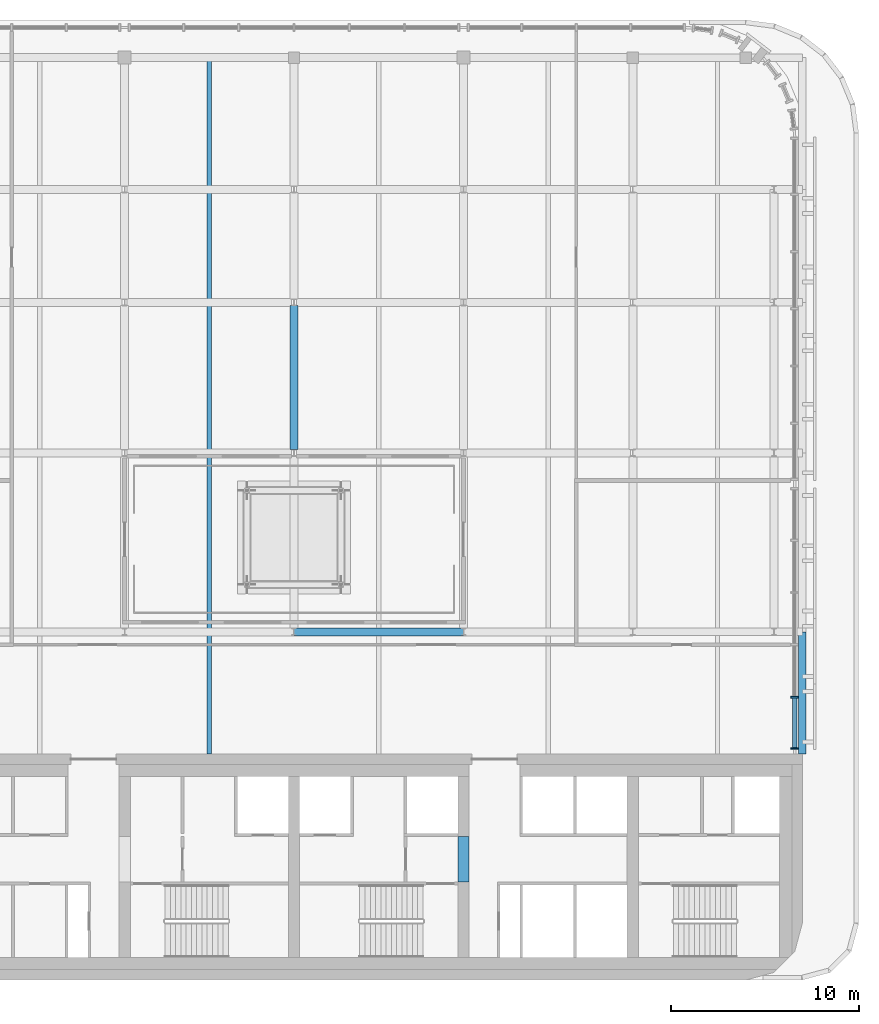
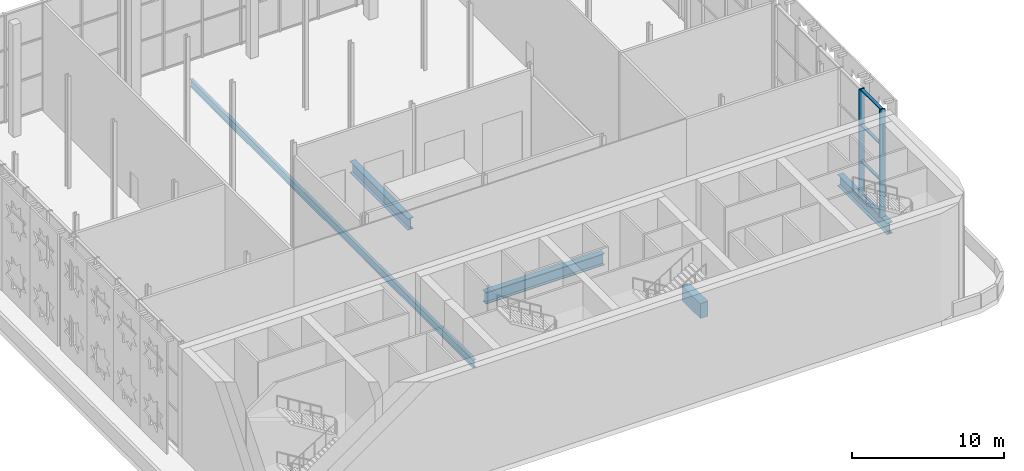
# One storey, part 9 of 26: 6 members, 5 beams, 1 element without a shape of its own.
"""IFC4 building model written with IfcOpenShell, lengths in metres."""

from ifc_helpers import new_model, si_unit, direction, frame, origin, origin_2d, place, context, subcontext, project, spatial, rectangle, i_section, extrude, material, material_profile, profile_set, type_object, element, aggregate, save


model = new_model("IFC4")

# Units and contexts
model_context = context("Model", 3, precision=1e-05, world=origin(), true_north=direction((0.0, 1.0)))
body_context = subcontext(model_context, "Body", "Model", "MODEL_VIEW")
ifc_project = project(units=[si_unit("LENGTHUNIT", "METRE"), si_unit("AREAUNIT", "SQUARE_METRE"), si_unit("VOLUMEUNIT", "CUBIC_METRE"), si_unit("PLANEANGLEUNIT", "RADIAN"), si_unit("MASSUNIT", "GRAM", prefix="KILO")], contexts=[model_context])

# Site, building, storey
site_placement = place(None, origin())
site = spatial("IfcSite", under=ifc_project, at=site_placement, CompositionType="ELEMENT")
building_placement = place(site_placement, origin())
building = spatial("IfcBuilding", under=site, at=building_placement, Name="Zellij Exchange Tower", CompositionType="ELEMENT")
storey_placement = place(building_placement, frame((0.0, 0.0, 296.5)))
storey = spatial("IfcBuildingStorey", under=building, at=storey_placement, Name="L70", CompositionType="ELEMENT", Elevation=296.5)

# Beam
ifc_material_1 = material(Name="Concrete C50/60", Category="concrete")
ifc_material_profile_1 = material_profile(ifc_material_1, rectangle(XDim=0.60009765625, YDim=1.199951171875, at=origin_2d()), Name="CORE-CB 600x1200 C50/60")
ifc_profile_set_1 = profile_set([ifc_material_profile_1], Name="Concrete C50/60")
beam_type_1 = type_object("IfcBeamType", Name="CORE-CB 600x1200 C50/60", PredefinedType="BEAM", material=ifc_profile_set_1)
beam_1_placement = place(storey_placement, frame((9.0, -8.800048828125, 3.0), z_axis=(0.0, 1.0, 0.0), x_axis=(-1.0, 0.0, 0.0)))
element("IfcBeam", 1, at=beam_1_placement, inside=storey, type_object=beam_type_1, Name="Core coupling beam x 9 L70", PredefinedType="BEAM", context=body_context, shape_type="SweptSolid", body=[
    extrude(rectangle(XDim=0.60009765625, YDim=1.199951171875, at=origin_2d()), origin(), (0.0, 0.0, 1.0), 2.425048828125),
])

# Curtain wall, members
ifc_material_2 = material(Name="Bronze anodised aluminium frame, bronze laminated glass", Category="aluminium")
curtain_wall_type = type_object("IfcCurtainWallType", Name="ENV-CW5 Damper-gallery glazing", PredefinedType="NOTDEFINED", material=ifc_material_2)
curtain_wall_placement = place(storey_placement, origin())
curtain_wall = element("IfcCurtainWall", 2, at=curtain_wall_placement, inside=storey, type_object=curtain_wall_type, Name="cw.L70.04a", PredefinedType="NOTDEFINED")
ifc_material_3 = material(Name="Aluminium, bronze anodised", Category="aluminium")
ifc_material_profile_2 = material_profile(ifc_material_3, rectangle(XDim=0.10009765625, YDim=0.39990234375, at=origin_2d()), Name="AL 100x400")
ifc_profile_set_2 = profile_set([ifc_material_profile_2], Name="Aluminium, bronze anodised")
member_type_1 = type_object("IfcMemberType", Name="ENV-CW5M Mullion 100x400", PredefinedType="MULLION", material=ifc_profile_set_2)
member_1_placement = place(storey_placement, frame((26.60009765625, -1.699951171875, 0.0), z_axis=(0.0, 0.0, 1.0), x_axis=(0.0, 1.0, 0.0)))
member_1 = element("IfcMember", 3, at=member_1_placement, type_object=member_type_1, Name="CW5 mullion 1", PredefinedType="MULLION", context=body_context, shape_type="SweptSolid", body=[
    extrude(rectangle(XDim=0.10009765625, YDim=0.39990234375, at=origin_2d()), origin(), (0.0, 0.0, 1.0), 8.64990234375),
])
member_2_placement = place(storey_placement, frame((26.60009765625, 1.0283203125, 0.0), z_axis=(0.0, 0.0, 1.0), x_axis=(0.0, 1.0, 0.0)))
member_2 = element("IfcMember", 4, at=member_2_placement, type_object=member_type_1, Name="CW5 mullion 2", PredefinedType="MULLION", context=body_context, shape_type="SweptSolid", body=[
    extrude(rectangle(XDim=0.10009765625, YDim=0.39990234375, at=origin_2d()), origin(), (0.0, 0.0, 1.0), 8.64990234375),
])
ifc_material_profile_3 = material_profile(ifc_material_3, rectangle(XDim=0.219970703125, YDim=0.10009765625, at=origin_2d()), Name="AL 220x100")
ifc_profile_set_3 = profile_set([ifc_material_profile_3], Name="Aluminium, bronze anodised")
member_type_2 = type_object("IfcMemberType", Name="ENV-CW5T Transom 220x100", PredefinedType="USERDEFINED", material=ifc_profile_set_3)
member_3_placement = place(storey_placement, frame((26.60009765625, -1.64990234375, 0.050048828125), z_axis=(0.0, 1.0, 0.0), x_axis=(-1.0, 0.0, 0.0)))
member_3 = element("IfcMember", 5, at=member_3_placement, type_object=member_type_2, Name="CW5 transom 1.1", ObjectType="TRANSOM", PredefinedType="USERDEFINED", context=body_context, shape_type="SweptSolid", body=[
    extrude(rectangle(XDim=0.219970703125, YDim=0.10009765625, at=origin_2d()), origin(), (0.0, 0.0, 1.0), 2.62841796875),
])
member_4_placement = place(storey_placement, frame((26.60009765625, -1.64990234375, 2.88330078125), z_axis=(0.0, 1.0, 0.0), x_axis=(-1.0, 0.0, 0.0)))
member_4 = element("IfcMember", 6, at=member_4_placement, type_object=member_type_2, Name="CW5 transom 1.2", ObjectType="TRANSOM", PredefinedType="USERDEFINED", context=body_context, shape_type="SweptSolid", body=[
    extrude(rectangle(XDim=0.219970703125, YDim=0.10009765625, at=origin_2d()), origin(), (0.0, 0.0, 1.0), 2.62841796875),
])
member_5_placement = place(storey_placement, frame((26.60009765625, -1.64990234375, 5.7666015625), z_axis=(0.0, 1.0, 0.0), x_axis=(-1.0, 0.0, 0.0)))
member_5 = element("IfcMember", 7, at=member_5_placement, type_object=member_type_2, Name="CW5 transom 1.3", ObjectType="TRANSOM", PredefinedType="USERDEFINED", context=body_context, shape_type="SweptSolid", body=[
    extrude(rectangle(XDim=0.219970703125, YDim=0.10009765625, at=origin_2d()), origin(), (0.0, 0.0, 1.0), 2.62841796875),
])
member_6_placement = place(storey_placement, frame((26.60009765625, -1.64990234375, 8.60009765625), z_axis=(0.0, 1.0, 0.0), x_axis=(-1.0, 0.0, 0.0)))
member_6 = element("IfcMember", 8, at=member_6_placement, type_object=member_type_2, Name="CW5 transom 1.4", ObjectType="TRANSOM", PredefinedType="USERDEFINED", context=body_context, shape_type="SweptSolid", body=[
    extrude(rectangle(XDim=0.219970703125, YDim=0.10009765625, at=origin_2d()), origin(), (0.0, 0.0, 1.0), 2.62841796875),
])
aggregate(curtain_wall, [member_1, member_2, member_3, member_4, member_5, member_6])

# Beams
ifc_material_4 = material(Name="Structural steel ASTM A992 Gr 50", Category="steel")
ifc_material_profile_4 = material_profile(ifc_material_4, i_section(OverallWidth=0.22900390625, OverallDepth=0.612060546875, WebThickness=0.011962890625, FlangeThickness=0.01953125, at=origin_2d()), Name="W24x84")
ifc_profile_set_4 = profile_set([ifc_material_profile_4], Name="Structural steel ASTM A992 Gr 50")
beam_type_2 = type_object("IfcBeamType", Name="STR-BEAM W24x84", PredefinedType="BEAM", material=ifc_profile_set_4)
beam_2_placement = place(storey_placement, frame((-4.5, -2.0, -0.7060546875), z_axis=(0.0, 1.0, 0.0), x_axis=(-1.0, 0.0, 0.0)))
element("IfcBeam", 9, at=beam_2_placement, inside=storey, type_object=beam_type_2, Name="B6", PredefinedType="BEAM", context=body_context, shape_type="SweptSolid", body=[
    extrude(i_section(OverallWidth=0.22900390625, OverallDepth=0.612060546875, WebThickness=0.011962890625, FlangeThickness=0.01953125, at=origin_2d()), origin(), (0.0, 0.0, 1.0), 37.212158203125),
])
ifc_material_5 = material(Name="Structural steel ASTM A913 Gr 65", Category="steel")
ifc_material_profile_5 = material_profile(ifc_material_5, i_section(OverallWidth=0.424072265625, OverallDepth=0.93212890625, WebThickness=0.02392578125, FlangeThickness=0.042724609375, at=origin_2d()), Name="W36x300")
ifc_profile_set_5 = profile_set([ifc_material_profile_5], Name="Structural steel ASTM A913 Gr 65")
beam_type_3 = type_object("IfcBeamType", Name="STR-GIRDER W36x300", PredefinedType="BEAM", material=ifc_profile_set_5)
beam_3_placement = place(storey_placement, frame((0.0, 4.5, -0.8662109375), z_axis=(1.0, 0.0, 0.0), x_axis=(0.0, 1.0, 0.0)))
element("IfcBeam", 10, at=beam_3_placement, inside=storey, type_object=beam_type_3, Name="G5", PredefinedType="BEAM", context=body_context, shape_type="SweptSolid", body=[
    extrude(i_section(OverallWidth=0.424072265625, OverallDepth=0.93212890625, WebThickness=0.02392578125, FlangeThickness=0.042724609375, at=origin_2d()), origin(), (0.0, 0.0, 1.0), 9.0),
])
beam_4_placement = place(storey_placement, frame((0.0, 14.176513671875, -0.8662109375), z_axis=(0.0, 1.0, 0.0), x_axis=(-1.0, 0.0, 0.0)))
element("IfcBeam", 11, at=beam_4_placement, inside=storey, type_object=beam_type_3, Name="G5", PredefinedType="BEAM", context=body_context, shape_type="SweptSolid", body=[
    extrude(i_section(OverallWidth=0.424072265625, OverallDepth=0.93212890625, WebThickness=0.02392578125, FlangeThickness=0.042724609375, at=origin_2d()), origin(), (0.0, 0.0, 1.0), 7.64697265625),
])
beam_5_placement = place(storey_placement, frame((27.0, -2.0, -0.8662109375), z_axis=(0.0, 1.0, 0.0), x_axis=(-1.0, 0.0, 0.0)))
element("IfcBeam", 12, at=beam_5_placement, inside=storey, type_object=beam_type_3, Name="G5", PredefinedType="BEAM", context=body_context, shape_type="SweptSolid", body=[
    extrude(i_section(OverallWidth=0.424072265625, OverallDepth=0.93212890625, WebThickness=0.02392578125, FlangeThickness=0.042724609375, at=origin_2d()), origin(), (0.0, 0.0, 1.0), 6.5),
])

save(model, "model.ifc")
